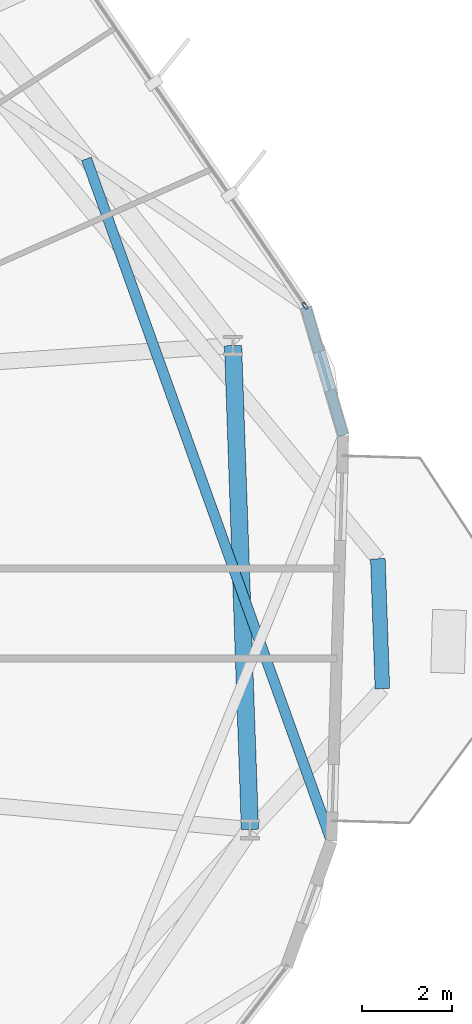
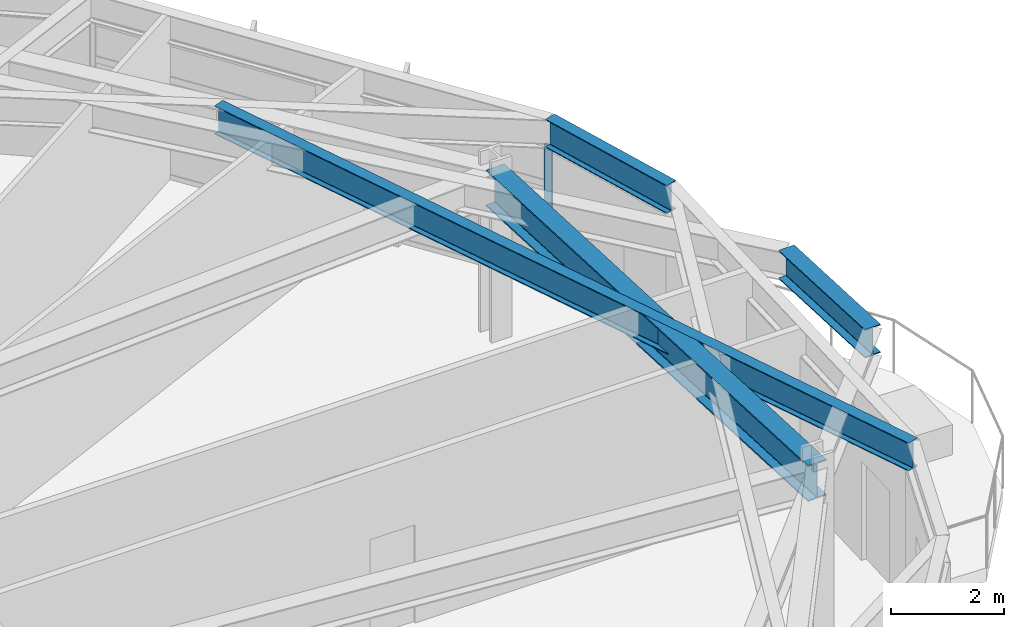
# One storey, part 11 of 24: 4 beams, 1 member, 1 element without a shape of its own.
"""IFC4 building model written with IfcOpenShell, lengths in metres."""

from ifc_helpers import new_model, si_unit, direction, frame, origin, origin_2d, place, context, subcontext, project, spatial, hollow_rectangle, i_section, extrude, material, layer, layer_set, material_profile, profile_set, type_object, element, aggregate, save


model = new_model("IFC4")

# Units and contexts
model_context = context("Model", 3, precision=1e-05, world=origin(), true_north=direction((0.0, 1.0)))
body_context = subcontext(model_context, "Body", "Model", "MODEL_VIEW")
ifc_project = project(units=[si_unit("LENGTHUNIT", "METRE"), si_unit("AREAUNIT", "SQUARE_METRE"), si_unit("VOLUMEUNIT", "CUBIC_METRE"), si_unit("PLANEANGLEUNIT", "RADIAN"), si_unit("MASSUNIT", "GRAM", prefix="KILO")], contexts=[model_context])

# Site, building, storey
site_placement = place(None, origin())
site = spatial("IfcSite", under=ifc_project, at=site_placement, CompositionType="ELEMENT")
building_placement = place(site_placement, origin())
building = spatial("IfcBuilding", under=site, at=building_placement, Name="Soratama Intermodal Tower", CompositionType="ELEMENT")
storey_placement = place(building_placement, frame((0.0, 0.0, 91.300048828125)))
storey = spatial("IfcBuildingStorey", under=building, at=storey_placement, Name="L21", CompositionType="ELEMENT", Elevation=91.300048828125)

# Beams
ifc_material_1 = material(Name="Structural steel ASTM A992 Grade 50", Category="steel")
ifc_material_profile_1 = material_profile(ifc_material_1, i_section(OverallWidth=0.324951171875, OverallDepth=0.615966796875, WebThickness=0.013916015625, FlangeThickness=0.021484375, FilletRadius=0.013916015625, at=origin_2d()), Name="W24X117")
ifc_profile_set_1 = profile_set([ifc_material_profile_1], Name="Structural steel ASTM A992 Grade 50")
beam_type_1 = type_object("IfcBeamType", Name="BM-CANT-W24X117", PredefinedType="BEAM", material=ifc_profile_set_1)
beam_1_placement = place(storey_placement, frame((64.6669921875, 23.33203125, 3.2919921875), z_axis=(-0.034686639918, 0.999398237447, 0.0), x_axis=(-0.999398237447, -0.034686639918, 0.0)))
element("IfcBeam", 1, at=beam_1_placement, inside=storey, type_object=beam_type_1, Name="BM-L21-CBHDR-1", PredefinedType="BEAM", context=body_context, shape_type="SweptSolid", body=[
    extrude(i_section(OverallWidth=0.324951171875, OverallDepth=0.615966796875, WebThickness=0.013916015625, FlangeThickness=0.021484375, FilletRadius=0.013916015625, at=origin_2d()), origin(), (0.0, 0.0, 1.0), 2.8857421875),
])
ifc_material_2 = material(Name="Structural steel ASTM A992 Grade 50", Category="steel")
ifc_material_profile_2 = material_profile(ifc_material_2, i_section(OverallWidth=0.382080078125, OverallDepth=0.779052734375, WebThickness=0.01806640625, FlangeThickness=0.030029296875, FilletRadius=0.01806640625, at=origin_2d()), Name="W30X191")
ifc_profile_set_2 = profile_set([ifc_material_profile_2], Name="Structural steel ASTM A992 Grade 50")
beam_type_2 = type_object("IfcBeamType", Name="BM-RING-W30X191", PredefinedType="BEAM", material=ifc_profile_set_2)
beam_2_placement = place(storey_placement, frame((61.72607421875, 20.2041015625, 3.21044921875), z_axis=(-0.034872799059, 0.999391758964, 0.0), x_axis=(-0.999391758964, -0.034872799059, 0.0)))
element("IfcBeam", 2, at=beam_2_placement, inside=storey, type_object=beam_type_2, Name="BM-L21-RING-10", PredefinedType="BEAM", context=body_context, shape_type="SweptSolid", body=[
    extrude(i_section(OverallWidth=0.382080078125, OverallDepth=0.779052734375, WebThickness=0.01806640625, FlangeThickness=0.030029296875, FilletRadius=0.01806640625, at=origin_2d()), origin(), (0.0, 0.0, 1.0), 10.75341796875),
])
ifc_material_3 = material(Name="Structural steel ASTM A992 Grade 50", Category="steel")
ifc_material_profile_3 = material_profile(ifc_material_3, i_section(OverallWidth=0.22900390625, OverallDepth=0.612060546875, WebThickness=0.011962890625, FlangeThickness=0.01953125, FilletRadius=0.012939453125, at=origin_2d()), Name="W24X84")
ifc_profile_set_3 = profile_set([ifc_material_profile_3], Name="Structural steel ASTM A992 Grade 50")
beam_type_3 = type_object("IfcBeamType", Name="BM-SPN-W24X84", PredefinedType="SPANDREL", material=ifc_profile_set_3)
beam_3_placement = place(storey_placement, frame((63.800048828125, 28.958984375, 3.2939453125), z_axis=(-0.281128005591, 0.95967027904, 0.0), x_axis=(-0.95967027904, -0.281128005591, 0.0)))
element("IfcBeam", 3, at=beam_3_placement, inside=storey, type_object=beam_type_3, Name="BS-L21-CRN10", PredefinedType="SPANDREL", context=body_context, shape_type="SweptSolid", body=[
    extrude(i_section(OverallWidth=0.22900390625, OverallDepth=0.612060546875, WebThickness=0.011962890625, FlangeThickness=0.01953125, FilletRadius=0.012939453125, at=origin_2d()), origin(), (0.0, 0.0, 1.0), 2.966552734375),
])
ifc_material_4 = material(Name="Structural steel ASTM A992 Grade 50", Category="steel")
ifc_material_profile_4 = material_profile(ifc_material_4, i_section(OverallWidth=0.22900390625, OverallDepth=0.612060546875, WebThickness=0.011962890625, FlangeThickness=0.01953125, FilletRadius=0.012939453125, at=origin_2d()), Name="W24X84")
ifc_profile_set_4 = profile_set([ifc_material_profile_4], Name="Structural steel ASTM A992 Grade 50")
beam_type_4 = type_object("IfcBeamType", Name="BM-TIE-W24X84", PredefinedType="BEAM", material=ifc_profile_set_4)
beam_4_placement = place(storey_placement, frame((58.095947265625, 35.095947265625, 3.2939453125), z_axis=(0.337894381112, -0.941184034721, 0.0), x_axis=(0.941184034721, 0.337894381112, 0.0)))
element("IfcBeam", 4, at=beam_4_placement, inside=storey, type_object=beam_type_4, Name="BM-L21-TIE0-10", PredefinedType="BEAM", context=body_context, shape_type="SweptSolid", body=[
    extrude(i_section(OverallWidth=0.22900390625, OverallDepth=0.612060546875, WebThickness=0.011962890625, FlangeThickness=0.01953125, FilletRadius=0.012939453125, at=origin_2d()), origin(), (0.0, 0.0, 1.0), 16.0966796875),
])

# Curtain wall, member
ifc_material_5 = material(Name="Double-glazed aluminium curtain wall", Category="aluminium")
ifc_layer = layer(ifc_material_5, 0.159912109375)
ifc_layer_set = layer_set([ifc_layer], Name="Double-glazed aluminium curtain wall")
curtain_wall_type = type_object("IfcCurtainWallType", Name="CW-SYS-3", PredefinedType="NOTDEFINED", material=ifc_layer_set)
curtain_wall_placement = place(storey_placement, origin())
curtain_wall = element("IfcCurtainWall", 5, at=curtain_wall_placement, inside=storey, type_object=curtain_wall_type, Name="L21 Faceted Curtain Wall F01", PredefinedType="NOTDEFINED")
ifc_material_6 = material(Name="Anodised aluminium AA 6063-T6", Category="aluminium")
ifc_material_profile_5 = material_profile(ifc_material_6, hollow_rectangle(XDim=0.070068359375, YDim=0.159912109375, WallThickness=0.0048828125, InnerFilletRadius=0.0048828125, OuterFilletRadius=0.010009765625, at=origin_2d()), Name="CWM160X70X5")
ifc_profile_set_5 = profile_set([ifc_material_profile_5], Name="Anodised aluminium AA 6063-T6")
member_type = type_object("IfcMemberType", Name="MT-CWM-3", PredefinedType="MULLION", material=ifc_profile_set_5)
member_placement = place(storey_placement, frame((62.948974609375, 31.830810546875, 0.0), z_axis=(0.0, 0.0, 1.0), x_axis=(-0.82590200148, -0.563813696137, 0.0)))
member = element("IfcMember", 6, at=member_placement, type_object=member_type, Name="CW-3 mullion 1", PredefinedType="MULLION", context=body_context, shape_type="SweptSolid", body=[
    extrude(hollow_rectangle(XDim=0.070068359375, YDim=0.159912109375, WallThickness=0.0048828125, InnerFilletRadius=0.0048828125, OuterFilletRadius=0.010009765625, at=origin_2d()), origin(), (0.0, 0.0, 1.0), 2.97900390625),
])
aggregate(curtain_wall, [member])

save(model, "model.ifc")
